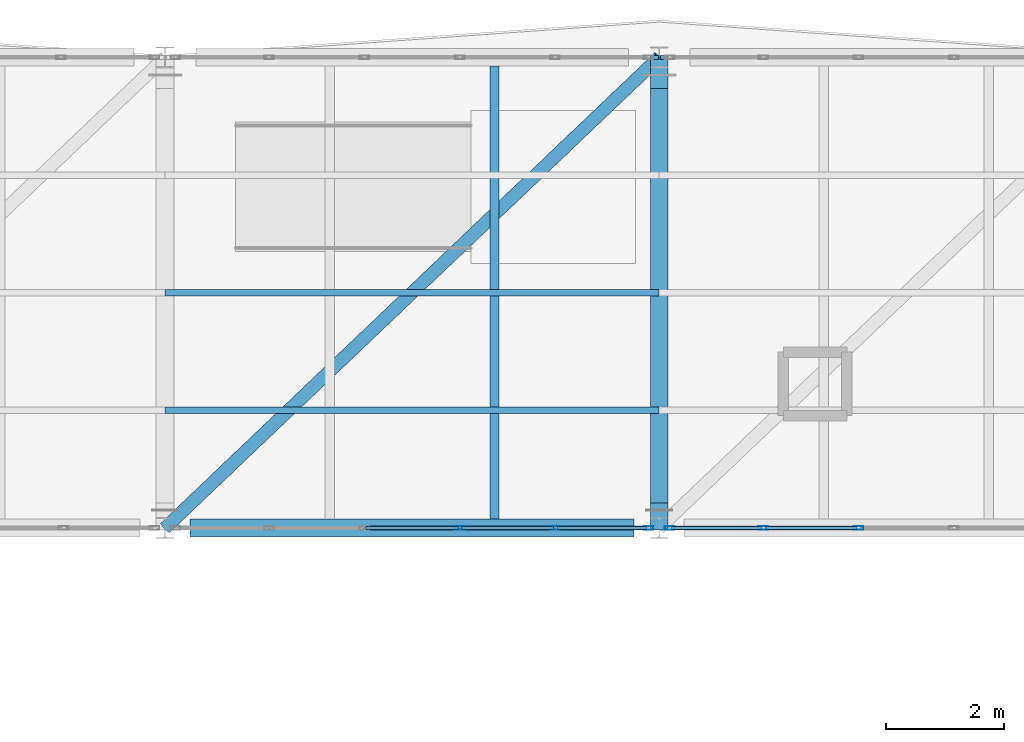
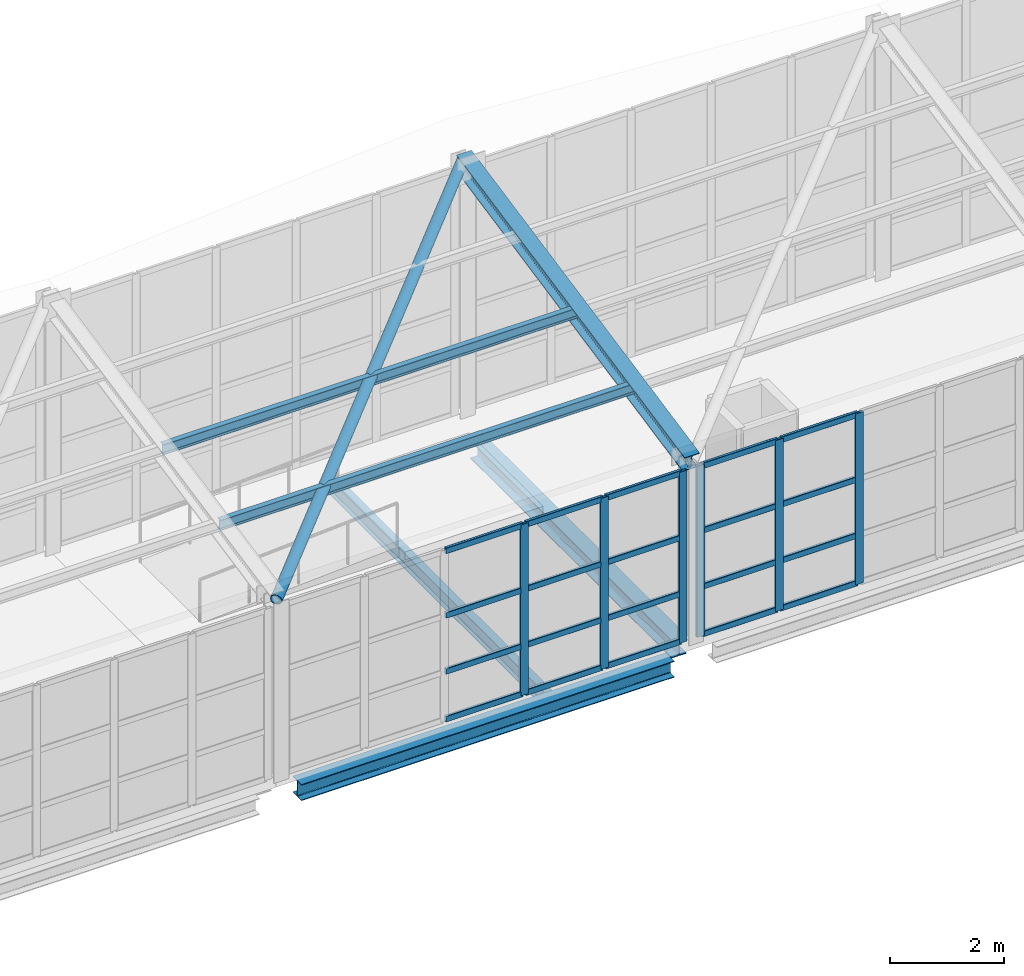
# One storey, part 105 of 177: 30 members, 3 beams, 2 elements without a shape of their own.
"""IFC4 building model written with IfcOpenShell, lengths in metres."""

from ifc_helpers import new_model, si_unit, direction, frame, origin, origin_2d, place, context, subcontext, project, spatial, hollow_rectangle, hollow_circle, i_section, extrude, material, layer, layer_set, material_profile, profile_set, type_object, element, aggregate, save


model = new_model("IFC4")

# Units and contexts
model_context = context("Model", 3, precision=1e-05, world=origin(), true_north=direction((0.0, 1.0)))
body_context = subcontext(model_context, "Body", "Model", "MODEL_VIEW")
ifc_project = project(units=[si_unit("LENGTHUNIT", "METRE"), si_unit("AREAUNIT", "SQUARE_METRE"), si_unit("VOLUMEUNIT", "CUBIC_METRE"), si_unit("PLANEANGLEUNIT", "RADIAN"), si_unit("MASSUNIT", "GRAM", prefix="KILO"), si_unit("THERMODYNAMICTEMPERATUREUNIT", "KELVIN"), si_unit("POWERUNIT", "WATT")], contexts=[model_context])

# Site, building, storey
site_placement = place(None, origin())
site = spatial("IfcSite", under=ifc_project, at=site_placement, CompositionType="ELEMENT")
building_placement = place(site_placement, origin())
building = spatial("IfcBuilding", under=site, at=building_placement, Name="Mavoryth Pier Ferry Terminal", CompositionType="ELEMENT")
storey_placement = place(building_placement, frame((0.0, 0.0, 5.43994140625)))
storey = spatial("IfcBuildingStorey", under=building, at=storey_placement, Name="L01", CompositionType="ELEMENT", Elevation=5.43994140625)

# Beam
ifc_material_1 = material(Name="Steel S355J2", Category="steel")
ifc_material_profile_1 = material_profile(ifc_material_1, i_section(OverallWidth=0.300048828125, OverallDepth=0.389892578125, WebThickness=0.010986328125, FlangeThickness=0.01904296875, FilletRadius=0.027099609375, at=origin_2d()), Name="HEA 400", Category="steel")
ifc_profile_set_1 = profile_set([ifc_material_profile_1], Name="Steel S355J2 - HEA 400")
beam_type_1 = type_object("IfcBeamType", Name="Beam-Steel-HEA400", PredefinedType="BEAM", material=ifc_profile_set_1)
beam_1_placement = place(storey_placement, frame((109.199951171875, 106.425048828125, -0.43505859375), z_axis=(0.0, 1.0, 0.0), x_axis=(-1.0, 0.0, 0.0)))
element("IfcBeam", 1, at=beam_1_placement, inside=storey, type_object=beam_type_1, Name="Beam B01-SB04-0285", PredefinedType="BEAM", context=body_context, shape_type="SweptSolid", body=[
    extrude(i_section(OverallWidth=0.300048828125, OverallDepth=0.389892578125, WebThickness=0.010986328125, FlangeThickness=0.01904296875, FilletRadius=0.027099609375, at=origin_2d()), origin(), (0.0, 0.0, 1.0), 7.050048828125),
])

# Member
ifc_material_profile_2 = material_profile(ifc_material_1, hollow_circle(Radius=0.109619140625, WallThickness=0.010009765625, at=origin_2d()), Name="CHS 219.1x10.0", Category="steel")
ifc_profile_set_2 = profile_set([ifc_material_profile_2], Name="Steel S355J2 - CHS 219.1x10.0")
member_type_1 = type_object("IfcMemberType", Name="Brace-Diag-CHS219", PredefinedType="BRACE", material=ifc_profile_set_2)
member_1_placement = place(storey_placement, frame((100.800048828125, 106.0, 3.771240234375), z_axis=(0.717108654399, 0.682968563255, 0.138957257423), x_axis=(-0.689659376744, 0.724133926887, 0.0)))
element("IfcMember", 2, at=member_1_placement, inside=storey, type_object=member_type_1, Name="Steel Member MB-L01-0277", PredefinedType="BRACE", context=body_context, shape_type="SweptSolid", body=[
    extrude(hollow_circle(Radius=0.109619140625, WallThickness=0.010009765625, at=origin_2d()), origin(), (0.0, 0.0, 1.0), 11.713623046875),
])

# Beam
ifc_material_profile_3 = material_profile(ifc_material_1, i_section(OverallWidth=0.159912109375, OverallDepth=0.330078125, WebThickness=0.007568359375, FlangeThickness=0.011474609375, FilletRadius=0.01806640625, at=origin_2d()), Name="IPE 330", Category="steel")
ifc_profile_set_3 = profile_set([ifc_material_profile_3], Name="Steel S355J2 - IPE 330")
beam_type_2 = type_object("IfcBeamType", Name="Joist-Steel-IPE330", PredefinedType="JOIST", material=ifc_profile_set_3)
beam_2_placement = place(storey_placement, frame((106.39990234375, 106.14990234375, -0.405029296875), z_axis=(0.0, 1.0, 0.0), x_axis=(-1.0, 0.0, 0.0)))
element("IfcBeam", 3, at=beam_2_placement, inside=storey, type_object=beam_type_2, Name="Beam B01-SJ03-0302", PredefinedType="JOIST", context=body_context, shape_type="SweptSolid", body=[
    extrude(i_section(OverallWidth=0.159912109375, OverallDepth=0.330078125, WebThickness=0.007568359375, FlangeThickness=0.011474609375, FilletRadius=0.01806640625, at=origin_2d()), origin(), (0.0, 0.0, 1.0), 7.7001953125),
])

# Curtain wall, members
ifc_material_2 = material(Name="Anodised Aluminium and Solar-Control Low-E Glass", Category="aluminium")
ifc_layer = layer(ifc_material_2, 0.139892578125, Name="Anodised Aluminium and Solar-Control Low-E Glass", Category="aluminium")
ifc_layer_set = layer_set([ifc_layer], Name="Anodised Aluminium and Solar-Control Low-E Glass - CW-Gallery-Mod1600")
curtain_wall_type = type_object("IfcCurtainWallType", Name="CW-Gallery-Mod1600", PredefinedType="USERDEFINED", material=ifc_layer_set)
curtain_wall_1_placement = place(storey_placement, origin())
curtain_wall_1 = element("IfcCurtainWall", 4, at=curtain_wall_1_placement, inside=storey, type_object=curtain_wall_type, Name="Curtain Wall CW-0122-085", ObjectType="UNITISED CURTAIN WALL", PredefinedType="USERDEFINED")
ifc_material_3 = material(Name="Anodised Aluminium EN AW-6063", Category="aluminium")
ifc_material_profile_4 = material_profile(ifc_material_3, hollow_rectangle(XDim=0.06005859375, YDim=0.1650390625, WallThickness=0.00390625, InnerFilletRadius=0.00390625, OuterFilletRadius=0.008056640625, at=origin_2d()), Name="AL-MULL 165x60x4", Category="aluminium")
ifc_profile_set_4 = profile_set([ifc_material_profile_4], Name="Anodised Aluminium EN AW-6063 - AL-MULL 165x60x4")
member_type_2 = type_object("IfcMemberType", Name="Mullion-Alum-165x60", PredefinedType="MULLION", material=ifc_profile_set_4)
member_2_placement = place(storey_placement, frame((105.81005859375, 106.0, 0.0), z_axis=(0.0, 0.0, 1.0), x_axis=(0.0, 1.0, 0.0)))
member_2 = element("IfcMember", 5, at=member_2_placement, type_object=member_type_2, Name="CW05 mullion 4", PredefinedType="MULLION", context=body_context, shape_type="SweptSolid", body=[
    extrude(hollow_rectangle(XDim=0.06005859375, YDim=0.1650390625, WallThickness=0.00390625, InnerFilletRadius=0.00390625, OuterFilletRadius=0.008056640625, at=origin_2d()), origin(), (0.0, 0.0, 1.0), 3.66015625),
])
member_3_placement = place(storey_placement, frame((107.429931640625, 106.0, 0.0), z_axis=(0.0, 0.0, 1.0), x_axis=(0.0, 1.0, 0.0)))
member_3 = element("IfcMember", 6, at=member_3_placement, type_object=member_type_2, Name="CW05 mullion 5", PredefinedType="MULLION", context=body_context, shape_type="SweptSolid", body=[
    extrude(hollow_rectangle(XDim=0.06005859375, YDim=0.1650390625, WallThickness=0.00390625, InnerFilletRadius=0.00390625, OuterFilletRadius=0.008056640625, at=origin_2d()), origin(), (0.0, 0.0, 1.0), 3.66015625),
])
member_4_placement = place(storey_placement, frame((109.02001953125, 106.0, 0.0), z_axis=(0.0, 0.0, 1.0), x_axis=(0.0, 1.0, 0.0)))
member_4 = element("IfcMember", 7, at=member_4_placement, type_object=member_type_2, Name="CW05 mullion 6", PredefinedType="MULLION", context=body_context, shape_type="SweptSolid", body=[
    extrude(hollow_rectangle(XDim=0.06005859375, YDim=0.1650390625, WallThickness=0.00390625, InnerFilletRadius=0.00390625, OuterFilletRadius=0.008056640625, at=origin_2d()), origin(), (0.0, 0.0, 1.0), 3.66015625),
])

curtain_wall_2_placement = place(storey_placement, origin())
curtain_wall_2 = element("IfcCurtainWall", 8, at=curtain_wall_2_placement, inside=storey, type_object=curtain_wall_type, Name="Curtain Wall CW-0122-087", ObjectType="UNITISED CURTAIN WALL", PredefinedType="USERDEFINED")
member_5_placement = place(storey_placement, frame((109.3798828125, 106.0, 0.0), z_axis=(0.0, 0.0, 1.0), x_axis=(0.0, 1.0, 0.0)))
member_5 = element("IfcMember", 9, at=member_5_placement, type_object=member_type_2, Name="CW05 mullion 1", PredefinedType="MULLION", context=body_context, shape_type="SweptSolid", body=[
    extrude(hollow_rectangle(XDim=0.06005859375, YDim=0.1650390625, WallThickness=0.00390625, InnerFilletRadius=0.00390625, OuterFilletRadius=0.008056640625, at=origin_2d()), origin(), (0.0, 0.0, 1.0), 3.66015625),
])
member_6_placement = place(storey_placement, frame((110.969970703125, 106.0, 0.0), z_axis=(0.0, 0.0, 1.0), x_axis=(0.0, 1.0, 0.0)))
member_6 = element("IfcMember", 10, at=member_6_placement, type_object=member_type_2, Name="CW05 mullion 2", PredefinedType="MULLION", context=body_context, shape_type="SweptSolid", body=[
    extrude(hollow_rectangle(XDim=0.06005859375, YDim=0.1650390625, WallThickness=0.00390625, InnerFilletRadius=0.00390625, OuterFilletRadius=0.008056640625, at=origin_2d()), origin(), (0.0, 0.0, 1.0), 3.66015625),
])
member_7_placement = place(storey_placement, frame((112.590087890625, 106.0, 0.0), z_axis=(0.0, 0.0, 1.0), x_axis=(0.0, 1.0, 0.0)))
member_7 = element("IfcMember", 11, at=member_7_placement, type_object=member_type_2, Name="CW05 mullion 3", PredefinedType="MULLION", context=body_context, shape_type="SweptSolid", body=[
    extrude(hollow_rectangle(XDim=0.06005859375, YDim=0.1650390625, WallThickness=0.00390625, InnerFilletRadius=0.00390625, OuterFilletRadius=0.008056640625, at=origin_2d()), origin(), (0.0, 0.0, 1.0), 3.66015625),
])

# Members
ifc_material_profile_5 = material_profile(ifc_material_1, i_section(OverallWidth=0.110107421875, OverallDepth=0.219970703125, WebThickness=0.005859375, FlangeThickness=0.00927734375, FilletRadius=0.011962890625, at=origin_2d()), Name="IPE 220", Category="steel")
ifc_profile_set_5 = profile_set([ifc_material_profile_5], Name="Steel S355J2 - IPE 220")
member_type_3 = type_object("IfcMemberType", Name="Purlin-Roof-IPE220", PredefinedType="PURLIN", material=ifc_profile_set_5)
for number, where, z_axis, x_axis, name in (
    (12, (100.800048828125, 108.0, 4.17822265625), (1.0, 0.0, 0.0), (0.0, 1.0, 0.0), "Steel Member MB-L01-0274"),
    (13, (100.800048828125, 110.0, 4.5849609375), (1.0, 0.0, 0.0), (0.0, 1.0, 0.0), "Steel Member MB-L01-0275"),
):
    element("IfcMember", number, at=place(storey_placement, frame(where, z_axis=z_axis, x_axis=x_axis)), inside=storey, type_object=member_type_3, Name=name, PredefinedType="PURLIN", context=body_context, shape_type="SweptSolid", body=[
        extrude(i_section(OverallWidth=0.110107421875, OverallDepth=0.219970703125, WebThickness=0.005859375, FlangeThickness=0.00927734375, FilletRadius=0.011962890625, at=origin_2d()), origin(), (0.0, 0.0, 1.0), 8.39990234375),
    ])
ifc_material_profile_6 = material_profile(ifc_material_1, i_section(OverallWidth=0.300048828125, OverallDepth=0.35009765625, WebThickness=0.010009765625, FlangeThickness=0.017578125, FilletRadius=0.027099609375, at=origin_2d()), Name="HEA 360", Category="steel")
ifc_profile_set_6 = profile_set([ifc_material_profile_6], Name="Steel S355J2 - HEA 360")
member_type_4 = type_object("IfcMemberType", Name="Rafter-Gallery-HEA360", PredefinedType="RAFTER", material=ifc_profile_set_6)
member_8_placement = place(storey_placement, frame((109.199951171875, 106.0, 3.771240234375), z_axis=(0.0, 0.979923097627, 0.199375832882), x_axis=(-1.0, 0.0, 0.0)))
element("IfcMember", 14, at=member_8_placement, inside=storey, type_object=member_type_4, Name="Steel Member MB-L01-0244", PredefinedType="RAFTER", context=body_context, shape_type="SweptSolid", body=[
    extrude(i_section(OverallWidth=0.300048828125, OverallDepth=0.35009765625, WebThickness=0.010009765625, FlangeThickness=0.017578125, FilletRadius=0.027099609375, at=origin_2d()), origin(), (0.0, 0.0, 1.0), 8.163818359375),
])

# Beam
ifc_material_profile_7 = material_profile(ifc_material_1, i_section(OverallWidth=0.300048828125, OverallDepth=0.35009765625, WebThickness=0.010009765625, FlangeThickness=0.017578125, FilletRadius=0.027099609375, at=origin_2d()), Name="HEA 360", Category="steel")
ifc_profile_set_7 = profile_set([ifc_material_profile_7], Name="Steel S355J2 - HEA 360")
beam_type_3 = type_object("IfcBeamType", Name="Spandrel-Steel-HEA360", PredefinedType="SPANDREL", material=ifc_profile_set_7)
beam_3_placement = place(storey_placement, frame((101.22509765625, 106.0, -0.4150390625), z_axis=(1.0, 0.0, 0.0), x_axis=(0.0, 1.0, 0.0)))
element("IfcBeam", 15, at=beam_3_placement, inside=storey, type_object=beam_type_3, Name="Beam B01-SP03-0260", PredefinedType="SPANDREL", context=body_context, shape_type="SweptSolid", body=[
    extrude(i_section(OverallWidth=0.300048828125, OverallDepth=0.35009765625, WebThickness=0.010009765625, FlangeThickness=0.017578125, FilletRadius=0.027099609375, at=origin_2d()), origin(), (0.0, 0.0, 1.0), 7.5498046875),
])

# Member
ifc_material_profile_8 = material_profile(ifc_material_3, hollow_rectangle(XDim=0.06005859375, YDim=0.125, WallThickness=0.00390625, InnerFilletRadius=0.00390625, OuterFilletRadius=0.008056640625, at=origin_2d()), Name="AL-TRAN 125x60x4", Category="aluminium")
ifc_profile_set_8 = profile_set([ifc_material_profile_8], Name="Anodised Aluminium EN AW-6063 - AL-TRAN 125x60x4")
member_type_5 = type_object("IfcMemberType", Name="Transom-Alum-125x60", PredefinedType="USERDEFINED", material=ifc_profile_set_8)
member_9_placement = place(storey_placement, frame((104.219970703125, 106.0, 0.030029296875), z_axis=(1.0, 0.0, 0.0), x_axis=(0.0, 1.0, 0.0)))
member_9 = element("IfcMember", 16, at=member_9_placement, type_object=member_type_5, Name="CW05 transom 3.1", ObjectType="TRANSOM", PredefinedType="USERDEFINED", context=body_context, shape_type="SweptSolid", body=[
    extrude(hollow_rectangle(XDim=0.06005859375, YDim=0.125, WallThickness=0.00390625, InnerFilletRadius=0.00390625, OuterFilletRadius=0.008056640625, at=origin_2d()), origin(), (0.0, 0.0, 1.0), 1.56005859375),
])

member_10_placement = place(storey_placement, frame((104.219970703125, 106.0, 1.050048828125), z_axis=(1.0, 0.0, 0.0), x_axis=(0.0, 1.0, 0.0)))
member_10 = element("IfcMember", 17, at=member_10_placement, type_object=member_type_5, Name="CW05 transom 3.2", ObjectType="TRANSOM", PredefinedType="USERDEFINED", context=body_context, shape_type="SweptSolid", body=[
    extrude(hollow_rectangle(XDim=0.06005859375, YDim=0.125, WallThickness=0.00390625, InnerFilletRadius=0.00390625, OuterFilletRadius=0.008056640625, at=origin_2d()), origin(), (0.0, 0.0, 1.0), 1.56005859375),
])

member_11_placement = place(storey_placement, frame((104.219970703125, 106.0, 2.25), z_axis=(1.0, 0.0, 0.0), x_axis=(0.0, 1.0, 0.0)))
member_11 = element("IfcMember", 18, at=member_11_placement, type_object=member_type_5, Name="CW05 transom 3.3", ObjectType="TRANSOM", PredefinedType="USERDEFINED", context=body_context, shape_type="SweptSolid", body=[
    extrude(hollow_rectangle(XDim=0.06005859375, YDim=0.125, WallThickness=0.00390625, InnerFilletRadius=0.00390625, OuterFilletRadius=0.008056640625, at=origin_2d()), origin(), (0.0, 0.0, 1.0), 1.56005859375),
])

member_12_placement = place(storey_placement, frame((104.219970703125, 106.0, 3.630126953125), z_axis=(1.0, 0.0, 0.0), x_axis=(0.0, 1.0, 0.0)))
member_12 = element("IfcMember", 19, at=member_12_placement, type_object=member_type_5, Name="CW05 transom 3.4", ObjectType="TRANSOM", PredefinedType="USERDEFINED", context=body_context, shape_type="SweptSolid", body=[
    extrude(hollow_rectangle(XDim=0.06005859375, YDim=0.125, WallThickness=0.00390625, InnerFilletRadius=0.00390625, OuterFilletRadius=0.008056640625, at=origin_2d()), origin(), (0.0, 0.0, 1.0), 1.56005859375),
])

member_13_placement = place(storey_placement, frame((105.840087890625, 106.0, 0.030029296875), z_axis=(1.0, 0.0, 0.0), x_axis=(0.0, 1.0, 0.0)))
member_13 = element("IfcMember", 20, at=member_13_placement, type_object=member_type_5, Name="CW05 transom 4.1", ObjectType="TRANSOM", PredefinedType="USERDEFINED", context=body_context, shape_type="SweptSolid", body=[
    extrude(hollow_rectangle(XDim=0.06005859375, YDim=0.125, WallThickness=0.00390625, InnerFilletRadius=0.00390625, OuterFilletRadius=0.008056640625, at=origin_2d()), origin(), (0.0, 0.0, 1.0), 1.559814453125),
])

member_14_placement = place(storey_placement, frame((105.840087890625, 106.0, 1.050048828125), z_axis=(1.0, 0.0, 0.0), x_axis=(0.0, 1.0, 0.0)))
member_14 = element("IfcMember", 21, at=member_14_placement, type_object=member_type_5, Name="CW05 transom 4.2", ObjectType="TRANSOM", PredefinedType="USERDEFINED", context=body_context, shape_type="SweptSolid", body=[
    extrude(hollow_rectangle(XDim=0.06005859375, YDim=0.125, WallThickness=0.00390625, InnerFilletRadius=0.00390625, OuterFilletRadius=0.008056640625, at=origin_2d()), origin(), (0.0, 0.0, 1.0), 1.559814453125),
])

member_15_placement = place(storey_placement, frame((105.840087890625, 106.0, 2.25), z_axis=(1.0, 0.0, 0.0), x_axis=(0.0, 1.0, 0.0)))
member_15 = element("IfcMember", 22, at=member_15_placement, type_object=member_type_5, Name="CW05 transom 4.3", ObjectType="TRANSOM", PredefinedType="USERDEFINED", context=body_context, shape_type="SweptSolid", body=[
    extrude(hollow_rectangle(XDim=0.06005859375, YDim=0.125, WallThickness=0.00390625, InnerFilletRadius=0.00390625, OuterFilletRadius=0.008056640625, at=origin_2d()), origin(), (0.0, 0.0, 1.0), 1.559814453125),
])

member_16_placement = place(storey_placement, frame((105.840087890625, 106.0, 3.630126953125), z_axis=(1.0, 0.0, 0.0), x_axis=(0.0, 1.0, 0.0)))
member_16 = element("IfcMember", 23, at=member_16_placement, type_object=member_type_5, Name="CW05 transom 4.4", ObjectType="TRANSOM", PredefinedType="USERDEFINED", context=body_context, shape_type="SweptSolid", body=[
    extrude(hollow_rectangle(XDim=0.06005859375, YDim=0.125, WallThickness=0.00390625, InnerFilletRadius=0.00390625, OuterFilletRadius=0.008056640625, at=origin_2d()), origin(), (0.0, 0.0, 1.0), 1.559814453125),
])

member_17_placement = place(storey_placement, frame((107.4599609375, 106.0, 0.030029296875), z_axis=(1.0, 0.0, 0.0), x_axis=(0.0, 1.0, 0.0)))
member_17 = element("IfcMember", 24, at=member_17_placement, type_object=member_type_5, Name="CW05 transom 5.1", ObjectType="TRANSOM", PredefinedType="USERDEFINED", context=body_context, shape_type="SweptSolid", body=[
    extrude(hollow_rectangle(XDim=0.06005859375, YDim=0.125, WallThickness=0.00390625, InnerFilletRadius=0.00390625, OuterFilletRadius=0.008056640625, at=origin_2d()), origin(), (0.0, 0.0, 1.0), 1.530029296875),
])

member_18_placement = place(storey_placement, frame((107.4599609375, 106.0, 1.050048828125), z_axis=(1.0, 0.0, 0.0), x_axis=(0.0, 1.0, 0.0)))
member_18 = element("IfcMember", 25, at=member_18_placement, type_object=member_type_5, Name="CW05 transom 5.2", ObjectType="TRANSOM", PredefinedType="USERDEFINED", context=body_context, shape_type="SweptSolid", body=[
    extrude(hollow_rectangle(XDim=0.06005859375, YDim=0.125, WallThickness=0.00390625, InnerFilletRadius=0.00390625, OuterFilletRadius=0.008056640625, at=origin_2d()), origin(), (0.0, 0.0, 1.0), 1.530029296875),
])

member_19_placement = place(storey_placement, frame((107.4599609375, 106.0, 2.25), z_axis=(1.0, 0.0, 0.0), x_axis=(0.0, 1.0, 0.0)))
member_19 = element("IfcMember", 26, at=member_19_placement, type_object=member_type_5, Name="CW05 transom 5.3", ObjectType="TRANSOM", PredefinedType="USERDEFINED", context=body_context, shape_type="SweptSolid", body=[
    extrude(hollow_rectangle(XDim=0.06005859375, YDim=0.125, WallThickness=0.00390625, InnerFilletRadius=0.00390625, OuterFilletRadius=0.008056640625, at=origin_2d()), origin(), (0.0, 0.0, 1.0), 1.530029296875),
])

member_20_placement = place(storey_placement, frame((107.4599609375, 106.0, 3.630126953125), z_axis=(1.0, 0.0, 0.0), x_axis=(0.0, 1.0, 0.0)))
member_20 = element("IfcMember", 27, at=member_20_placement, type_object=member_type_5, Name="CW05 transom 5.4", ObjectType="TRANSOM", PredefinedType="USERDEFINED", context=body_context, shape_type="SweptSolid", body=[
    extrude(hollow_rectangle(XDim=0.06005859375, YDim=0.125, WallThickness=0.00390625, InnerFilletRadius=0.00390625, OuterFilletRadius=0.008056640625, at=origin_2d()), origin(), (0.0, 0.0, 1.0), 1.530029296875),
])

aggregate(curtain_wall_1, [member_2, member_3, member_4, member_9, member_10, member_11, member_12, member_13, member_14, member_15, member_16, member_17, member_18, member_19, member_20])

member_21_placement = place(storey_placement, frame((109.409912109375, 106.0, 0.030029296875), z_axis=(1.0, 0.0, 0.0), x_axis=(0.0, 1.0, 0.0)))
member_21 = element("IfcMember", 28, at=member_21_placement, type_object=member_type_5, Name="CW05 transom 1.1", ObjectType="TRANSOM", PredefinedType="USERDEFINED", context=body_context, shape_type="SweptSolid", body=[
    extrude(hollow_rectangle(XDim=0.06005859375, YDim=0.125, WallThickness=0.00390625, InnerFilletRadius=0.00390625, OuterFilletRadius=0.008056640625, at=origin_2d()), origin(), (0.0, 0.0, 1.0), 1.530029296875),
])

member_22_placement = place(storey_placement, frame((109.409912109375, 106.0, 1.050048828125), z_axis=(1.0, 0.0, 0.0), x_axis=(0.0, 1.0, 0.0)))
member_22 = element("IfcMember", 29, at=member_22_placement, type_object=member_type_5, Name="CW05 transom 1.2", ObjectType="TRANSOM", PredefinedType="USERDEFINED", context=body_context, shape_type="SweptSolid", body=[
    extrude(hollow_rectangle(XDim=0.06005859375, YDim=0.125, WallThickness=0.00390625, InnerFilletRadius=0.00390625, OuterFilletRadius=0.008056640625, at=origin_2d()), origin(), (0.0, 0.0, 1.0), 1.530029296875),
])

member_23_placement = place(storey_placement, frame((109.409912109375, 106.0, 2.25), z_axis=(1.0, 0.0, 0.0), x_axis=(0.0, 1.0, 0.0)))
member_23 = element("IfcMember", 30, at=member_23_placement, type_object=member_type_5, Name="CW05 transom 1.3", ObjectType="TRANSOM", PredefinedType="USERDEFINED", context=body_context, shape_type="SweptSolid", body=[
    extrude(hollow_rectangle(XDim=0.06005859375, YDim=0.125, WallThickness=0.00390625, InnerFilletRadius=0.00390625, OuterFilletRadius=0.008056640625, at=origin_2d()), origin(), (0.0, 0.0, 1.0), 1.530029296875),
])

member_24_placement = place(storey_placement, frame((109.409912109375, 106.0, 3.630126953125), z_axis=(1.0, 0.0, 0.0), x_axis=(0.0, 1.0, 0.0)))
member_24 = element("IfcMember", 31, at=member_24_placement, type_object=member_type_5, Name="CW05 transom 1.4", ObjectType="TRANSOM", PredefinedType="USERDEFINED", context=body_context, shape_type="SweptSolid", body=[
    extrude(hollow_rectangle(XDim=0.06005859375, YDim=0.125, WallThickness=0.00390625, InnerFilletRadius=0.00390625, OuterFilletRadius=0.008056640625, at=origin_2d()), origin(), (0.0, 0.0, 1.0), 1.530029296875),
])

member_25_placement = place(storey_placement, frame((111.0, 106.0, 0.030029296875), z_axis=(1.0, 0.0, 0.0), x_axis=(0.0, 1.0, 0.0)))
member_25 = element("IfcMember", 32, at=member_25_placement, type_object=member_type_5, Name="CW05 transom 2.1", ObjectType="TRANSOM", PredefinedType="USERDEFINED", context=body_context, shape_type="SweptSolid", body=[
    extrude(hollow_rectangle(XDim=0.06005859375, YDim=0.125, WallThickness=0.00390625, InnerFilletRadius=0.00390625, OuterFilletRadius=0.008056640625, at=origin_2d()), origin(), (0.0, 0.0, 1.0), 1.56005859375),
])

member_26_placement = place(storey_placement, frame((111.0, 106.0, 1.050048828125), z_axis=(1.0, 0.0, 0.0), x_axis=(0.0, 1.0, 0.0)))
member_26 = element("IfcMember", 33, at=member_26_placement, type_object=member_type_5, Name="CW05 transom 2.2", ObjectType="TRANSOM", PredefinedType="USERDEFINED", context=body_context, shape_type="SweptSolid", body=[
    extrude(hollow_rectangle(XDim=0.06005859375, YDim=0.125, WallThickness=0.00390625, InnerFilletRadius=0.00390625, OuterFilletRadius=0.008056640625, at=origin_2d()), origin(), (0.0, 0.0, 1.0), 1.56005859375),
])

member_27_placement = place(storey_placement, frame((111.0, 106.0, 2.25), z_axis=(1.0, 0.0, 0.0), x_axis=(0.0, 1.0, 0.0)))
member_27 = element("IfcMember", 34, at=member_27_placement, type_object=member_type_5, Name="CW05 transom 2.3", ObjectType="TRANSOM", PredefinedType="USERDEFINED", context=body_context, shape_type="SweptSolid", body=[
    extrude(hollow_rectangle(XDim=0.06005859375, YDim=0.125, WallThickness=0.00390625, InnerFilletRadius=0.00390625, OuterFilletRadius=0.008056640625, at=origin_2d()), origin(), (0.0, 0.0, 1.0), 1.56005859375),
])

member_28_placement = place(storey_placement, frame((111.0, 106.0, 3.630126953125), z_axis=(1.0, 0.0, 0.0), x_axis=(0.0, 1.0, 0.0)))
member_28 = element("IfcMember", 35, at=member_28_placement, type_object=member_type_5, Name="CW05 transom 2.4", ObjectType="TRANSOM", PredefinedType="USERDEFINED", context=body_context, shape_type="SweptSolid", body=[
    extrude(hollow_rectangle(XDim=0.06005859375, YDim=0.125, WallThickness=0.00390625, InnerFilletRadius=0.00390625, OuterFilletRadius=0.008056640625, at=origin_2d()), origin(), (0.0, 0.0, 1.0), 1.56005859375),
])

aggregate(curtain_wall_2, [member_5, member_6, member_7, member_21, member_22, member_23, member_24, member_25, member_26, member_27, member_28])

save(model, "model.ifc")
